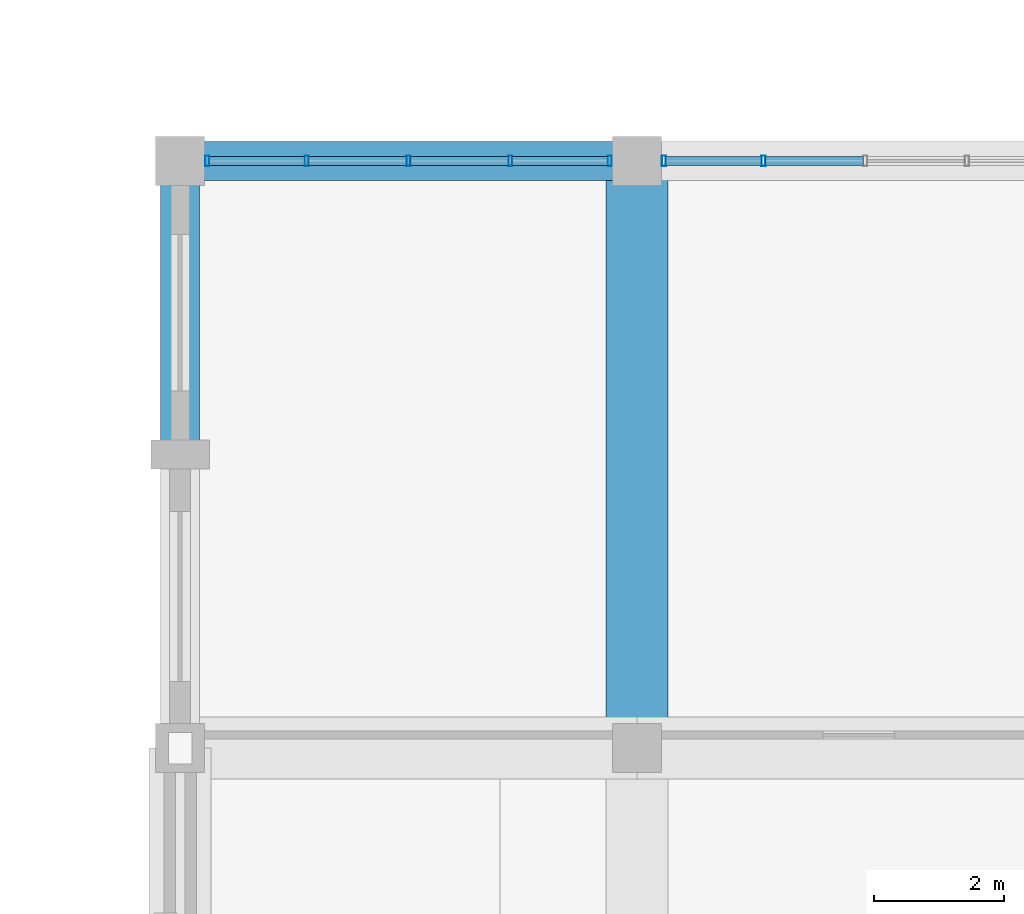
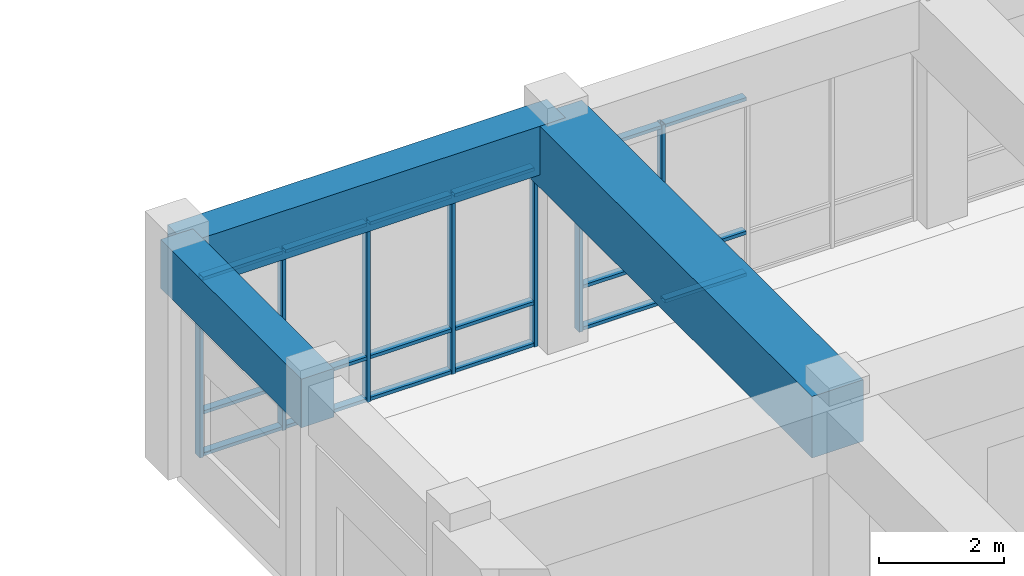
# One storey, part 58 of 104: 25 members, 3 beams, 2 elements without a shape of their own.
"""IFC4 building model written with IfcOpenShell, lengths in metres."""

from ifc_helpers import new_model, si_unit, direction, frame, origin, origin_2d, place, context, subcontext, project, spatial, rectangle, hollow_rectangle, extrude, material, layer, layer_set, material_profile, profile_set, type_object, element, aggregate, save


model = new_model("IFC4")

# Units and contexts
model_context = context("Model", 3, precision=1e-05, world=origin(), true_north=direction((0.0, 1.0)))
body_context = subcontext(model_context, "Body", "Model", "MODEL_VIEW")
ifc_project = project(units=[si_unit("LENGTHUNIT", "METRE"), si_unit("AREAUNIT", "SQUARE_METRE"), si_unit("VOLUMEUNIT", "CUBIC_METRE"), si_unit("PLANEANGLEUNIT", "RADIAN"), si_unit("MASSUNIT", "GRAM", prefix="KILO")], contexts=[model_context])

# Site, building, storey
site_placement = place(None, origin())
site = spatial("IfcSite", under=ifc_project, at=site_placement, CompositionType="ELEMENT")
building_placement = place(site_placement, origin())
building = spatial("IfcBuilding", under=site, at=building_placement, Name="Ventoquebrada Cableway Terminal", CompositionType="ELEMENT")
storey_placement = place(building_placement, frame((0.0, 0.0, 4.800048828125)))
storey = spatial("IfcBuildingStorey", under=building, at=storey_placement, Name="L01", CompositionType="ELEMENT", Elevation=4.800048828125)

# Beams
ifc_material_1 = material(Name="Concrete C40/50", Category="concrete")
ifc_material_profile_1 = material_profile(ifc_material_1, rectangle(XDim=0.60009765625, YDim=0.949951171875, at=origin_2d()), Name="RC-BM-600X950")
ifc_profile_set_1 = profile_set([ifc_material_profile_1], Name="Concrete C40/50")
beam_type_1 = type_object("IfcBeamType", Name="BM-RC05", PredefinedType="BEAM", material=ifc_profile_set_1)
beam_1_placement = place(storey_placement, frame((95.0, 104.0, 3.974853515625), z_axis=(1.0, 0.0, 0.0), x_axis=(0.0, 1.0, 0.0)))
element("IfcBeam", 1, at=beam_1_placement, inside=storey, type_object=beam_type_1, Name="Perimeter spandrel beam FBM-0639", PredefinedType="BEAM", context=body_context, shape_type="SweptSolid", body=[
    extrude(rectangle(XDim=0.60009765625, YDim=0.949951171875, at=origin_2d()), origin(), (0.0, 0.0, 1.0), 7.0),
])
beam_2_placement = place(storey_placement, frame((95.0, 99.5, 3.974853515625), z_axis=(0.0, 1.0, 0.0), x_axis=(-1.0, 0.0, 0.0)))
element("IfcBeam", 2, at=beam_2_placement, inside=storey, type_object=beam_type_1, Name="Perimeter spandrel beam FBM-0648", PredefinedType="BEAM", context=body_context, shape_type="SweptSolid", body=[
    extrude(rectangle(XDim=0.60009765625, YDim=0.949951171875, at=origin_2d()), origin(), (0.0, 0.0, 1.0), 4.5),
])
ifc_material_profile_2 = material_profile(ifc_material_1, rectangle(XDim=0.949951171875, YDim=1.199951171875, at=origin_2d()), Name="RC-BM-950X1200")
ifc_profile_set_2 = profile_set([ifc_material_profile_2], Name="Concrete C40/50")
beam_type_2 = type_object("IfcBeamType", Name="BM-RC06", PredefinedType="BEAM", material=ifc_profile_set_2)
beam_3_placement = place(storey_placement, frame((102.0, 95.0, 3.849853515625), z_axis=(0.0, 1.0, 0.0), x_axis=(-1.0, 0.0, 0.0)))
element("IfcBeam", 3, at=beam_3_placement, inside=storey, type_object=beam_type_2, Name="Primary frame girder FBM-0651", PredefinedType="BEAM", context=body_context, shape_type="SweptSolid", body=[
    extrude(rectangle(XDim=0.949951171875, YDim=1.199951171875, at=origin_2d()), origin(), (0.0, 0.0, 1.0), 9.0),
])

# Curtain wall, members
ifc_material_2 = material(Name="Anodized thermally-broken aluminium", Category="aluminium")
ifc_layer = layer(ifc_material_2, 0.159912109375)
ifc_layer_set = layer_set([ifc_layer], Name="Anodized thermally-broken aluminium")
curtain_wall_type = type_object("IfcCurtainWallType", Name="CW-T27", PredefinedType="USERDEFINED", material=ifc_layer_set)
curtain_wall_1_placement = place(storey_placement, origin())
curtain_wall_1 = element("IfcCurtainWall", 4, at=curtain_wall_1_placement, inside=storey, type_object=curtain_wall_type, Name="Unitised glazed curtain wall CW-063", ObjectType="UNITISED CURTAIN WALL", PredefinedType="USERDEFINED")
ifc_material_profile_3 = material_profile(ifc_material_2, hollow_rectangle(XDim=0.06494140625, YDim=0.159912109375, WallThickness=0.00390625, at=origin_2d()), Name="CW-MUL-65X160")
ifc_profile_set_3 = profile_set([ifc_material_profile_3], Name="Anodized thermally-broken aluminium")
member_type_1 = type_object("IfcMemberType", Name="CWM-01", PredefinedType="MULLION", material=ifc_profile_set_3)
member_1_placement = place(storey_placement, frame((101.5849609375, 104.0, -0.008056640625), z_axis=(0.0, 0.0, 1.0), x_axis=(-1.0, 0.0, 0.0)))
member_1 = element("IfcMember", 5, at=member_1_placement, type_object=member_type_1, Name="Curtain wall mullion FML-0292", PredefinedType="MULLION", context=body_context, shape_type="SweptSolid", body=[
    extrude(hollow_rectangle(XDim=0.06494140625, YDim=0.159912109375, WallThickness=0.00390625, at=origin_2d()), origin(), (0.0, 0.0, 1.0), 3.508056640625),
])
member_2_placement = place(storey_placement, frame((100.06005859375, 104.0, -0.008056640625), z_axis=(0.0, 0.0, 1.0), x_axis=(-1.0, 0.0, 0.0)))
member_2 = element("IfcMember", 6, at=member_2_placement, type_object=member_type_1, Name="Curtain wall mullion FML-0293", PredefinedType="MULLION", context=body_context, shape_type="SweptSolid", body=[
    extrude(hollow_rectangle(XDim=0.06494140625, YDim=0.159912109375, WallThickness=0.00390625, at=origin_2d()), origin(), (0.0, 0.0, 1.0), 3.508056640625),
])
member_3_placement = place(storey_placement, frame((98.5, 104.0, -0.008056640625), z_axis=(0.0, 0.0, 1.0), x_axis=(-1.0, 0.0, 0.0)))
member_3 = element("IfcMember", 7, at=member_3_placement, type_object=member_type_1, Name="Curtain wall mullion FML-0294", PredefinedType="MULLION", context=body_context, shape_type="SweptSolid", body=[
    extrude(hollow_rectangle(XDim=0.06494140625, YDim=0.159912109375, WallThickness=0.00390625, at=origin_2d()), origin(), (0.0, 0.0, 1.0), 3.508056640625),
])
member_4_placement = place(storey_placement, frame((96.93994140625, 104.0, -0.008056640625), z_axis=(0.0, 0.0, 1.0), x_axis=(-1.0, 0.0, 0.0)))
member_4 = element("IfcMember", 8, at=member_4_placement, type_object=member_type_1, Name="Curtain wall mullion FML-0295", PredefinedType="MULLION", context=body_context, shape_type="SweptSolid", body=[
    extrude(hollow_rectangle(XDim=0.06494140625, YDim=0.159912109375, WallThickness=0.00390625, at=origin_2d()), origin(), (0.0, 0.0, 1.0), 3.508056640625),
])
member_5_placement = place(storey_placement, frame((95.4150390625, 104.0, -0.008056640625), z_axis=(0.0, 0.0, 1.0), x_axis=(-1.0, 0.0, 0.0)))
member_5 = element("IfcMember", 9, at=member_5_placement, type_object=member_type_1, Name="Curtain wall mullion FML-0296", PredefinedType="MULLION", context=body_context, shape_type="SweptSolid", body=[
    extrude(hollow_rectangle(XDim=0.06494140625, YDim=0.159912109375, WallThickness=0.00390625, at=origin_2d()), origin(), (0.0, 0.0, 1.0), 3.508056640625),
])

curtain_wall_2_placement = place(storey_placement, origin())
curtain_wall_2 = element("IfcCurtainWall", 10, at=curtain_wall_2_placement, inside=storey, type_object=curtain_wall_type, Name="Unitised glazed curtain wall CW-064", ObjectType="UNITISED CURTAIN WALL", PredefinedType="USERDEFINED")
member_6_placement = place(storey_placement, frame((103.93994140625, 104.0, -0.008056640625), z_axis=(0.0, 0.0, 1.0), x_axis=(-1.0, 0.0, 0.0)))
member_6 = element("IfcMember", 11, at=member_6_placement, type_object=member_type_1, Name="Curtain wall mullion FML-0300", PredefinedType="MULLION", context=body_context, shape_type="SweptSolid", body=[
    extrude(hollow_rectangle(XDim=0.06494140625, YDim=0.159912109375, WallThickness=0.00390625, at=origin_2d()), origin(), (0.0, 0.0, 1.0), 3.508056640625),
])
member_7_placement = place(storey_placement, frame((102.4150390625, 104.0, -0.008056640625), z_axis=(0.0, 0.0, 1.0), x_axis=(-1.0, 0.0, 0.0)))
member_7 = element("IfcMember", 12, at=member_7_placement, type_object=member_type_1, Name="Curtain wall mullion FML-0301", PredefinedType="MULLION", context=body_context, shape_type="SweptSolid", body=[
    extrude(hollow_rectangle(XDim=0.06494140625, YDim=0.159912109375, WallThickness=0.00390625, at=origin_2d()), origin(), (0.0, 0.0, 1.0), 3.508056640625),
])

# Member
ifc_material_profile_4 = material_profile(ifc_material_2, hollow_rectangle(XDim=0.06494140625, YDim=0.139892578125, WallThickness=0.00390625, at=origin_2d()), Name="CW-TRN-65X140")
ifc_profile_set_4 = profile_set([ifc_material_profile_4], Name="Anodized thermally-broken aluminium")
member_type_2 = type_object("IfcMemberType", Name="CWT-01", PredefinedType="USERDEFINED", material=ifc_profile_set_4)
member_8_placement = place(storey_placement, frame((101.55810546875, 104.0, 0.034912109375), z_axis=(-1.0, 0.0, 0.0), x_axis=(0.0, 0.0, 1.0)))
member_8 = element("IfcMember", 13, at=member_8_placement, type_object=member_type_2, Name="Curtain wall transom FTR-0862", ObjectType="TRANSOM", PredefinedType="USERDEFINED", context=body_context, shape_type="SweptSolid", body=[
    extrude(hollow_rectangle(XDim=0.06494140625, YDim=0.139892578125, WallThickness=0.00390625, at=origin_2d()), origin(), (0.0, 0.0, 1.0), 1.47021484375),
])

member_9_placement = place(storey_placement, frame((101.55810546875, 104.0, 0.849853515625), z_axis=(-1.0, 0.0, 0.0), x_axis=(0.0, 0.0, 1.0)))
member_9 = element("IfcMember", 14, at=member_9_placement, type_object=member_type_2, Name="Curtain wall transom FTR-0863", ObjectType="TRANSOM", PredefinedType="USERDEFINED", context=body_context, shape_type="SweptSolid", body=[
    extrude(hollow_rectangle(XDim=0.06494140625, YDim=0.139892578125, WallThickness=0.00390625, at=origin_2d()), origin(), (0.0, 0.0, 1.0), 1.47021484375),
])

member_10_placement = place(storey_placement, frame((101.55810546875, 104.0, 3.4599609375), z_axis=(-1.0, 0.0, 0.0), x_axis=(0.0, 0.0, 1.0)))
member_10 = element("IfcMember", 15, at=member_10_placement, type_object=member_type_2, Name="Curtain wall transom FTR-0864", ObjectType="TRANSOM", PredefinedType="USERDEFINED", context=body_context, shape_type="SweptSolid", body=[
    extrude(hollow_rectangle(XDim=0.06494140625, YDim=0.139892578125, WallThickness=0.00390625, at=origin_2d()), origin(), (0.0, 0.0, 1.0), 1.47021484375),
])

member_11_placement = place(storey_placement, frame((100.031982421875, 104.0, 0.034912109375), z_axis=(-1.0, 0.0, 0.0), x_axis=(0.0, 0.0, 1.0)))
member_11 = element("IfcMember", 16, at=member_11_placement, type_object=member_type_2, Name="Curtain wall transom FTR-0865", ObjectType="TRANSOM", PredefinedType="USERDEFINED", context=body_context, shape_type="SweptSolid", body=[
    extrude(hollow_rectangle(XDim=0.06494140625, YDim=0.139892578125, WallThickness=0.00390625, at=origin_2d()), origin(), (0.0, 0.0, 1.0), 1.50390625),
])

member_12_placement = place(storey_placement, frame((100.031982421875, 104.0, 0.849853515625), z_axis=(-1.0, 0.0, 0.0), x_axis=(0.0, 0.0, 1.0)))
member_12 = element("IfcMember", 17, at=member_12_placement, type_object=member_type_2, Name="Curtain wall transom FTR-0866", ObjectType="TRANSOM", PredefinedType="USERDEFINED", context=body_context, shape_type="SweptSolid", body=[
    extrude(hollow_rectangle(XDim=0.06494140625, YDim=0.139892578125, WallThickness=0.00390625, at=origin_2d()), origin(), (0.0, 0.0, 1.0), 1.50390625),
])

member_13_placement = place(storey_placement, frame((100.031982421875, 104.0, 3.4599609375), z_axis=(-1.0, 0.0, 0.0), x_axis=(0.0, 0.0, 1.0)))
member_13 = element("IfcMember", 18, at=member_13_placement, type_object=member_type_2, Name="Curtain wall transom FTR-0867", ObjectType="TRANSOM", PredefinedType="USERDEFINED", context=body_context, shape_type="SweptSolid", body=[
    extrude(hollow_rectangle(XDim=0.06494140625, YDim=0.139892578125, WallThickness=0.00390625, at=origin_2d()), origin(), (0.0, 0.0, 1.0), 1.50390625),
])

member_14_placement = place(storey_placement, frame((98.471923828125, 104.0, 0.034912109375), z_axis=(-1.0, 0.0, 0.0), x_axis=(0.0, 0.0, 1.0)))
member_14 = element("IfcMember", 19, at=member_14_placement, type_object=member_type_2, Name="Curtain wall transom FTR-0868", ObjectType="TRANSOM", PredefinedType="USERDEFINED", context=body_context, shape_type="SweptSolid", body=[
    extrude(hollow_rectangle(XDim=0.06494140625, YDim=0.139892578125, WallThickness=0.00390625, at=origin_2d()), origin(), (0.0, 0.0, 1.0), 1.50390625),
])

member_15_placement = place(storey_placement, frame((98.471923828125, 104.0, 0.849853515625), z_axis=(-1.0, 0.0, 0.0), x_axis=(0.0, 0.0, 1.0)))
member_15 = element("IfcMember", 20, at=member_15_placement, type_object=member_type_2, Name="Curtain wall transom FTR-0869", ObjectType="TRANSOM", PredefinedType="USERDEFINED", context=body_context, shape_type="SweptSolid", body=[
    extrude(hollow_rectangle(XDim=0.06494140625, YDim=0.139892578125, WallThickness=0.00390625, at=origin_2d()), origin(), (0.0, 0.0, 1.0), 1.50390625),
])

member_16_placement = place(storey_placement, frame((98.471923828125, 104.0, 3.4599609375), z_axis=(-1.0, 0.0, 0.0), x_axis=(0.0, 0.0, 1.0)))
member_16 = element("IfcMember", 21, at=member_16_placement, type_object=member_type_2, Name="Curtain wall transom FTR-0870", ObjectType="TRANSOM", PredefinedType="USERDEFINED", context=body_context, shape_type="SweptSolid", body=[
    extrude(hollow_rectangle(XDim=0.06494140625, YDim=0.139892578125, WallThickness=0.00390625, at=origin_2d()), origin(), (0.0, 0.0, 1.0), 1.50390625),
])

member_17_placement = place(storey_placement, frame((96.912109375, 104.0, 0.034912109375), z_axis=(-1.0, 0.0, 0.0), x_axis=(0.0, 0.0, 1.0)))
member_17 = element("IfcMember", 22, at=member_17_placement, type_object=member_type_2, Name="Curtain wall transom FTR-0871", ObjectType="TRANSOM", PredefinedType="USERDEFINED", context=body_context, shape_type="SweptSolid", body=[
    extrude(hollow_rectangle(XDim=0.06494140625, YDim=0.139892578125, WallThickness=0.00390625, at=origin_2d()), origin(), (0.0, 0.0, 1.0), 1.47021484375),
])

member_18_placement = place(storey_placement, frame((96.912109375, 104.0, 0.849853515625), z_axis=(-1.0, 0.0, 0.0), x_axis=(0.0, 0.0, 1.0)))
member_18 = element("IfcMember", 23, at=member_18_placement, type_object=member_type_2, Name="Curtain wall transom FTR-0872", ObjectType="TRANSOM", PredefinedType="USERDEFINED", context=body_context, shape_type="SweptSolid", body=[
    extrude(hollow_rectangle(XDim=0.06494140625, YDim=0.139892578125, WallThickness=0.00390625, at=origin_2d()), origin(), (0.0, 0.0, 1.0), 1.47021484375),
])

member_19_placement = place(storey_placement, frame((96.912109375, 104.0, 3.4599609375), z_axis=(-1.0, 0.0, 0.0), x_axis=(0.0, 0.0, 1.0)))
member_19 = element("IfcMember", 24, at=member_19_placement, type_object=member_type_2, Name="Curtain wall transom FTR-0873", ObjectType="TRANSOM", PredefinedType="USERDEFINED", context=body_context, shape_type="SweptSolid", body=[
    extrude(hollow_rectangle(XDim=0.06494140625, YDim=0.139892578125, WallThickness=0.00390625, at=origin_2d()), origin(), (0.0, 0.0, 1.0), 1.47021484375),
])

aggregate(curtain_wall_1, [member_1, member_2, member_3, member_4, member_5, member_8, member_9, member_10, member_11, member_12, member_13, member_14, member_15, member_16, member_17, member_18, member_19])

member_20_placement = place(storey_placement, frame((105.471923828125, 104.0, 0.034912109375), z_axis=(-1.0, 0.0, 0.0), x_axis=(0.0, 0.0, 1.0)))
member_20 = element("IfcMember", 25, at=member_20_placement, type_object=member_type_2, Name="Curtain wall transom FTR-0880", ObjectType="TRANSOM", PredefinedType="USERDEFINED", context=body_context, shape_type="SweptSolid", body=[
    extrude(hollow_rectangle(XDim=0.06494140625, YDim=0.139892578125, WallThickness=0.00390625, at=origin_2d()), origin(), (0.0, 0.0, 1.0), 1.50390625),
])

member_21_placement = place(storey_placement, frame((105.471923828125, 104.0, 0.849853515625), z_axis=(-1.0, 0.0, 0.0), x_axis=(0.0, 0.0, 1.0)))
member_21 = element("IfcMember", 26, at=member_21_placement, type_object=member_type_2, Name="Curtain wall transom FTR-0881", ObjectType="TRANSOM", PredefinedType="USERDEFINED", context=body_context, shape_type="SweptSolid", body=[
    extrude(hollow_rectangle(XDim=0.06494140625, YDim=0.139892578125, WallThickness=0.00390625, at=origin_2d()), origin(), (0.0, 0.0, 1.0), 1.50390625),
])

member_22_placement = place(storey_placement, frame((105.471923828125, 104.0, 3.4599609375), z_axis=(-1.0, 0.0, 0.0), x_axis=(0.0, 0.0, 1.0)))
member_22 = element("IfcMember", 27, at=member_22_placement, type_object=member_type_2, Name="Curtain wall transom FTR-0882", ObjectType="TRANSOM", PredefinedType="USERDEFINED", context=body_context, shape_type="SweptSolid", body=[
    extrude(hollow_rectangle(XDim=0.06494140625, YDim=0.139892578125, WallThickness=0.00390625, at=origin_2d()), origin(), (0.0, 0.0, 1.0), 1.50390625),
])

member_23_placement = place(storey_placement, frame((103.912109375, 104.0, 0.034912109375), z_axis=(-1.0, 0.0, 0.0), x_axis=(0.0, 0.0, 1.0)))
member_23 = element("IfcMember", 28, at=member_23_placement, type_object=member_type_2, Name="Curtain wall transom FTR-0883", ObjectType="TRANSOM", PredefinedType="USERDEFINED", context=body_context, shape_type="SweptSolid", body=[
    extrude(hollow_rectangle(XDim=0.06494140625, YDim=0.139892578125, WallThickness=0.00390625, at=origin_2d()), origin(), (0.0, 0.0, 1.0), 1.47021484375),
])

member_24_placement = place(storey_placement, frame((103.912109375, 104.0, 0.849853515625), z_axis=(-1.0, 0.0, 0.0), x_axis=(0.0, 0.0, 1.0)))
member_24 = element("IfcMember", 29, at=member_24_placement, type_object=member_type_2, Name="Curtain wall transom FTR-0884", ObjectType="TRANSOM", PredefinedType="USERDEFINED", context=body_context, shape_type="SweptSolid", body=[
    extrude(hollow_rectangle(XDim=0.06494140625, YDim=0.139892578125, WallThickness=0.00390625, at=origin_2d()), origin(), (0.0, 0.0, 1.0), 1.47021484375),
])

member_25_placement = place(storey_placement, frame((103.912109375, 104.0, 3.4599609375), z_axis=(-1.0, 0.0, 0.0), x_axis=(0.0, 0.0, 1.0)))
member_25 = element("IfcMember", 30, at=member_25_placement, type_object=member_type_2, Name="Curtain wall transom FTR-0885", ObjectType="TRANSOM", PredefinedType="USERDEFINED", context=body_context, shape_type="SweptSolid", body=[
    extrude(hollow_rectangle(XDim=0.06494140625, YDim=0.139892578125, WallThickness=0.00390625, at=origin_2d()), origin(), (0.0, 0.0, 1.0), 1.47021484375),
])

aggregate(curtain_wall_2, [member_6, member_7, member_20, member_21, member_22, member_23, member_24, member_25])

save(model, "model.ifc")
